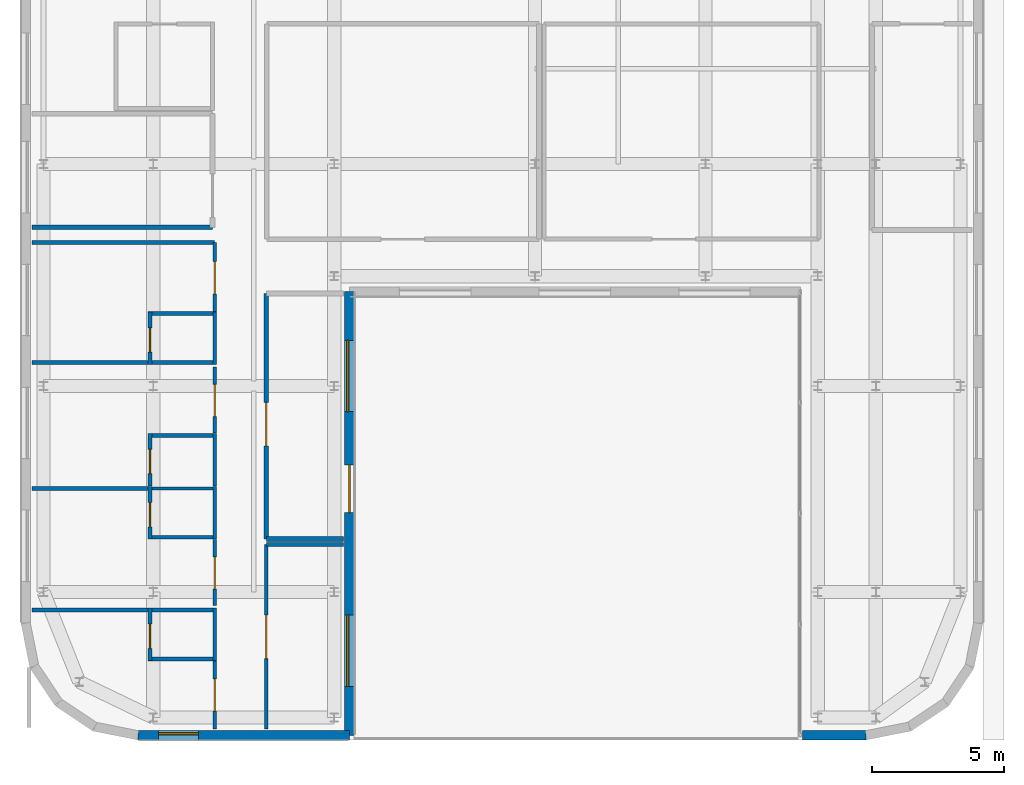
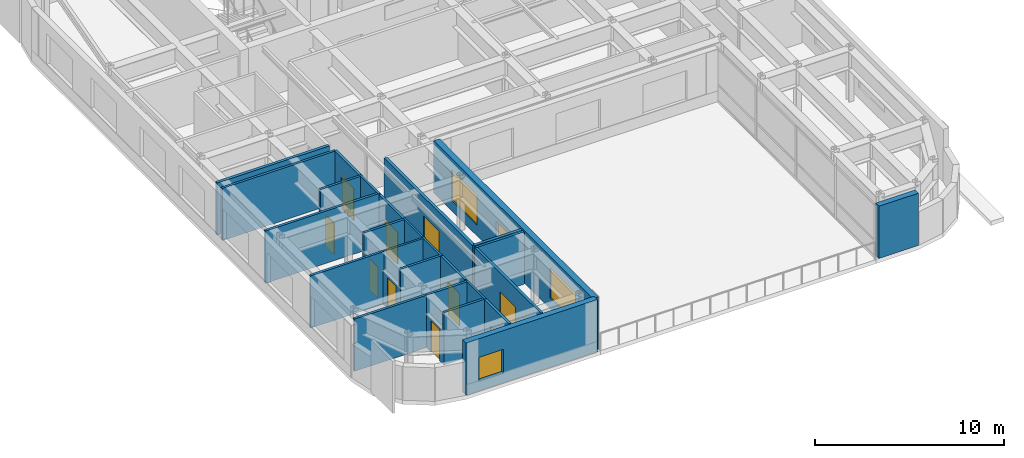
# One storey, part 8 of 16: 30 walls, 11 doors, 3 windows, 14 openings.
"""IFC4 building model written with IfcOpenShell, lengths in metres."""

from ifc_helpers import new_model, si_unit, direction, frame, frame_2d, origin, place, context, subcontext, project, spatial, rectangle, extrude, source, transform, mapped, material, layer, layer_set, type_object, type_shapes, element, fill, save


model = new_model("IFC4")

# Units and contexts
model_context = context("Model", 3, precision=1e-05, world=origin(), true_north=direction((0.0, 1.0)))
body_context = subcontext(model_context, "Body", "Model", "MODEL_VIEW")
ifc_project = project(units=[si_unit("LENGTHUNIT", "METRE"), si_unit("AREAUNIT", "SQUARE_METRE"), si_unit("VOLUMEUNIT", "CUBIC_METRE"), si_unit("PLANEANGLEUNIT", "RADIAN"), si_unit("MASSUNIT", "GRAM", prefix="KILO")], contexts=[model_context])

# Site, building, storey
site_placement = place(None, origin())
site = spatial("IfcSite", under=ifc_project, at=site_placement, CompositionType="ELEMENT")
building_placement = place(site_placement, origin())
building = spatial("IfcBuilding", under=site, at=building_placement, Name="Tolvann Quenvar Hotel", CompositionType="ELEMENT")
storey_placement = place(building_placement, frame((0.0, 0.0, 241.64990234375)))
storey = spatial("IfcBuildingStorey", under=building, at=storey_placement, Name="L64", CompositionType="ELEMENT", Elevation=241.64990234375)

# Wall, opening, window
ifc_material_1 = material(Name="Kiln-fired red and buff architectural clay brickwork and terracotta masonry", Category="masonry")
ifc_layer_1 = layer(ifc_material_1, 0.35009765625)
ifc_layer_set_1 = layer_set([ifc_layer_1], Name="Kiln-fired red and buff architectural clay brickwork and terracotta masonry")
wall_type_1 = type_object("IfcWallType", Name="WALL_EXT_BRICK_350", PredefinedType="SOLIDWALL", material=ifc_layer_set_1)
wall_1_placement = place(storey_placement, frame((7.01708984375, 2.77490234375, 0.0), z_axis=(0.0, 0.0, 1.0), x_axis=(1.0, 0.0, 0.0)))
wall_1 = element("IfcWall", 1, at=wall_1_placement, inside=storey, type_object=wall_type_1, Name="Exterior Chicago Brick Wall L64-E04", PredefinedType="SOLIDWALL", context=body_context, shape_type="SweptSolid", body=[
    extrude(rectangle(XDim=8.0078125, YDim=0.35009765625, at=frame_2d((4.00390625, 0.0))), origin(), (0.0, 0.0, 1.0), 3.3701171875),
])
opening_1_placement = place(wall_1_placement, frame((0.791015625, 0.0, 0.6201171875)))
opening_1 = element("IfcOpeningElement", 2, at=opening_1_placement, cuts=wall_1, Name="Opening W-08", PredefinedType="OPENING", context=body_context, shape_type="SweptSolid", body=[
    extrude(rectangle(XDim=1.5, YDim=1.550048828125, at=frame_2d((0.75, 0.77490234375))), frame((0.0, 0.18505859375, 0.0), z_axis=(0.0, -1.0, 0.0), x_axis=(1.0, 0.0, 0.0)), (0.0, 0.0, 1.0), 0.3701171875),
])
ifc_material_2 = material(Name="Thermally broken bronze-anodised aluminium frame with double low-E glazing", Category="aluminium")
window_type_1 = type_object("IfcWindowType", Name="WIN_COR_1500x2050", PartitioningType="SINGLE_PANEL", PredefinedType="WINDOW", material=ifc_material_2)
shared_shape_1 = source(origin(), body_context, "Body", "SweptSolid", [
    extrude(rectangle(XDim=1.5, YDim=1.550048828125, at=frame_2d((0.75, 0.77490234375))), frame((0.0, 0.090087890625, 0.0), z_axis=(0.0, -1.0, 0.0), x_axis=(1.0, 0.0, 0.0)), (0.0, 0.0, 1.0), 0.06005859375),
])
type_shapes(window_type_1, [shared_shape_1])
window_1_placement = place(opening_1_placement, origin())
window_1 = element("IfcWindow", 3, at=window_1_placement, inside=storey, type_object=window_type_1, Name="Chicago Window W-08 (EW-L64-E04-WD01)", OverallHeight=1.550048828125, OverallWidth=1.5, PartitioningType="SINGLE_PANEL", PredefinedType="WINDOW", context=body_context, shape_type="MappedRepresentation", body=[
    mapped(shared_shape_1, transform((0.0, 0.0, 0.0), x_axis=(1.0, 0.0, 0.0), y_axis=(0.0, 1.0, 0.0), z_axis=(0.0, 0.0, 1.0), scale=1.0)),
])
fill(opening_1, window_1)

# Wall, openings, door, windows
wall_2_placement = place(storey_placement, frame((15.02490234375, 2.77490234375, 0.0), z_axis=(0.0, 0.0, 1.0), x_axis=(0.0, 1.0, 0.0)))
wall_2 = element("IfcWall", 4, at=wall_2_placement, inside=storey, type_object=wall_type_1, Name="Exterior Chicago Brick Wall L64-E05", PredefinedType="SOLIDWALL", context=body_context, shape_type="SweptSolid", body=[
    extrude(rectangle(XDim=16.800048828125, YDim=0.35009765625, at=frame_2d((8.39990234375, 0.0))), origin(), (0.0, 0.0, 1.0), 3.3701171875),
])
opening_2_placement = place(wall_2_placement, frame((10.22509765625, 0.0, 0.0), z_axis=(0.0, 0.0, 1.0), x_axis=(-1.0, 0.0, 0.0)))
opening_2 = element("IfcOpeningElement", 5, at=opening_2_placement, cuts=wall_2, Name="Opening TD-01", PredefinedType="OPENING", context=body_context, shape_type="SweptSolid", body=[
    extrude(rectangle(XDim=1.800048828125, YDim=2.14990234375, at=frame_2d((0.89990234375, 1.074951171875))), frame((0.0, 0.18505859375, 0.0), z_axis=(0.0, -1.0, 0.0), x_axis=(1.0, 0.0, 0.0)), (0.0, 0.0, 1.0), 0.3701171875),
])
opening_3_placement = place(wall_2_placement, frame((1.85009765625, 0.0, 0.679931640625)))
opening_3 = element("IfcOpeningElement", 6, at=opening_3_placement, cuts=wall_2, Name="Opening W-04", PredefinedType="OPENING", context=body_context, shape_type="SweptSolid", body=[
    extrude(rectangle(XDim=2.699951171875, YDim=1.949951171875, at=frame_2d((1.35009765625, 0.97509765625))), frame((0.0, 0.18505859375, 0.0), z_axis=(0.0, -1.0, 0.0), x_axis=(1.0, 0.0, 0.0)), (0.0, 0.0, 1.0), 0.3701171875),
])
opening_4_placement = place(wall_2_placement, frame((12.25, 0.0, 0.679931640625)))
opening_4 = element("IfcOpeningElement", 7, at=opening_4_placement, cuts=wall_2, Name="Opening W-04", PredefinedType="OPENING", context=body_context, shape_type="SweptSolid", body=[
    extrude(rectangle(XDim=2.699951171875, YDim=1.949951171875, at=frame_2d((1.35009765625, 0.97509765625))), frame((0.0, 0.18505859375, 0.0), z_axis=(0.0, -1.0, 0.0), x_axis=(1.0, 0.0, 0.0)), (0.0, 0.0, 1.0), 0.3701171875),
])
ifc_material_3 = material(Name="Bronze-anodised thermally broken aluminium glazed entrance door", Category="aluminium")
door_type_1 = type_object("IfcDoorType", Name="DOOR_EXT_TER_1800", OperationType="NOTDEFINED", PredefinedType="DOOR", material=ifc_material_3)
shared_shape_2 = source(origin(), body_context, "Body", "SweptSolid", [
    extrude(rectangle(XDim=1.800048828125, YDim=2.14990234375, at=frame_2d((0.89990234375, 1.074951171875))), frame((0.0, 0.02490234375, 0.0), z_axis=(0.0, -1.0, 0.0), x_axis=(1.0, 0.0, 0.0)), (0.0, 0.0, 1.0), 0.050048828125),
])
type_shapes(door_type_1, [shared_shape_2])
door_1_placement = place(opening_2_placement, origin())
door_1 = element("IfcDoor", 8, at=door_1_placement, inside=storey, type_object=door_type_1, Name="Wind Portal Belvedere Deck Access Door", OperationType="DOUBLE_DOOR_SINGLE_SWING", OverallHeight=2.14990234375, OverallWidth=1.800048828125, PredefinedType="DOOR", context=body_context, shape_type="MappedRepresentation", body=[
    mapped(shared_shape_2, transform((0.0, 0.0, 0.0), x_axis=(1.0, 0.0, 0.0), y_axis=(0.0, 1.0, 0.0), z_axis=(0.0, 0.0, 1.0), scale=1.0)),
])
fill(opening_2, door_1)
window_type_2 = type_object("IfcWindowType", Name="WIN_STE_2700x2150", PartitioningType="TRIPLE_PANEL_HORIZONTAL", PredefinedType="WINDOW", material=ifc_material_2)
shared_shape_3 = source(origin(), body_context, "Body", "SweptSolid", [
    extrude(rectangle(XDim=2.699951171875, YDim=1.949951171875, at=frame_2d((1.35009765625, 0.97509765625))), frame((0.0, 0.090087890625, 0.0), z_axis=(0.0, -1.0, 0.0), x_axis=(1.0, 0.0, 0.0)), (0.0, 0.0, 1.0), 0.06005859375),
])
type_shapes(window_type_2, [shared_shape_3])
window_2_placement = place(opening_3_placement, origin())
window_2 = element("IfcWindow", 9, at=window_2_placement, inside=storey, type_object=window_type_2, Name="Chicago Window W-04 (EW-L64-E05-W01)", OverallHeight=1.949951171875, OverallWidth=2.699951171875, PartitioningType="TRIPLE_PANEL_HORIZONTAL", PredefinedType="WINDOW", context=body_context, shape_type="MappedRepresentation", body=[
    mapped(shared_shape_3, transform((0.0, 0.0, 0.0), x_axis=(1.0, 0.0, 0.0), y_axis=(0.0, 1.0, 0.0), z_axis=(0.0, 0.0, 1.0), scale=1.0)),
])
fill(opening_3, window_2)
window_3_placement = place(opening_4_placement, origin())
window_3 = element("IfcWindow", 10, at=window_3_placement, inside=storey, type_object=window_type_2, Name="Chicago Window W-04 (EW-L64-E05-W02)", OverallHeight=1.949951171875, OverallWidth=2.699951171875, PartitioningType="TRIPLE_PANEL_HORIZONTAL", PredefinedType="WINDOW", context=body_context, shape_type="MappedRepresentation", body=[
    mapped(shared_shape_3, transform((0.0, 0.0, 0.0), x_axis=(1.0, 0.0, 0.0), y_axis=(0.0, 1.0, 0.0), z_axis=(0.0, 0.0, 1.0), scale=1.0)),
])
fill(opening_4, window_3)

# Walls
wall_3_placement = place(storey_placement, frame((32.175048828125, 2.77490234375, 0.0), z_axis=(0.0, 0.0, 1.0), x_axis=(1.0, 0.0, 0.0)))
element("IfcWall", 11, at=wall_3_placement, inside=storey, type_object=wall_type_1, Name="Exterior Chicago Brick Wall L64-E08", PredefinedType="SOLIDWALL", context=body_context, shape_type="SweptSolid", body=[
    extrude(rectangle(XDim=2.40771484375, YDim=0.35009765625, at=frame_2d((1.203857421875, 0.0))), origin(), (0.0, 0.0, 1.0), 3.3701171875),
])
ifc_material_4 = material(Name="Acoustic twin-stud fire-rated gypsum plasterboard partition")
ifc_layer_2 = layer(ifc_material_4, 0.179931640625)
ifc_layer_set_2 = layer_set([ifc_layer_2], Name="Acoustic twin-stud fire-rated gypsum plasterboard partition")
wall_type_2 = type_object("IfcWallType", Name="WALL_PART_ACOUSTIC_180", PredefinedType="PARTITIONING", material=ifc_layer_set_2)
wall_4_placement = place(storey_placement, frame((11.8798828125, 10.199951171875, 0.0), z_axis=(0.0, 0.0, 1.0), x_axis=(1.0, 0.0, 0.0)))
element("IfcWall", 12, at=wall_4_placement, inside=storey, type_object=wall_type_2, Name="Interior Partition PT-SPC-L64-POVL-S", PredefinedType="PARTITIONING", context=body_context, shape_type="SweptSolid", body=[
    extrude(rectangle(XDim=2.9150390625, YDim=0.179931640625, at=frame_2d((1.45751953125, 0.0))), origin(), (0.0, 0.0, 1.0), 3.3701171875),
])

# Wall, opening, door
wall_5_placement = place(storey_placement, frame((11.8798828125, 10.199951171875, 0.0), z_axis=(0.0, 0.0, 1.0), x_axis=(0.0, 1.0, 0.0)))
wall_5 = element("IfcWall", 13, at=wall_5_placement, inside=storey, type_object=wall_type_2, Name="Interior Partition PT-SPC-L64-POVL-W", PredefinedType="PARTITIONING", context=body_context, shape_type="SweptSolid", body=[
    extrude(rectangle(XDim=9.300048828125, YDim=0.179931640625, at=frame_2d((4.64990234375, 0.0))), origin(), (0.0, 0.0, 1.0), 3.3701171875),
])
opening_5_placement = place(wall_5_placement, frame((3.52490234375, 0.0, 0.0)))
opening_5 = element("IfcOpeningElement", 14, at=opening_5_placement, cuts=wall_5, Name="Opening AD-01", PredefinedType="OPENING", context=body_context, shape_type="SweptSolid", body=[
    extrude(rectangle(XDim=1.64990234375, YDim=2.14990234375, at=frame_2d((0.824951171875, 1.074951171875))), frame((0.0, 0.10009765625, 0.0), z_axis=(0.0, -1.0, 0.0), x_axis=(1.0, 0.0, 0.0)), (0.0, 0.0, 1.0), 0.199951171875),
])
ifc_material_5 = material(Name="Solid-core American oak acoustic fire door leaf in steel frame", Category="steel")
door_type_2 = type_object("IfcDoorType", Name="DOOR_SALON_1650", OperationType="NOTDEFINED", PredefinedType="DOOR", material=ifc_material_5)
shared_shape_4 = source(origin(), body_context, "Body", "SweptSolid", [
    extrude(rectangle(XDim=1.64990234375, YDim=2.14990234375, at=frame_2d((0.824951171875, 1.074951171875))), frame((0.0, 0.02490234375, 0.0), z_axis=(0.0, -1.0, 0.0), x_axis=(1.0, 0.0, 0.0)), (0.0, 0.0, 1.0), 0.050048828125),
])
type_shapes(door_type_2, [shared_shape_4])
door_2_placement = place(opening_5_placement, origin())
door_2 = element("IfcDoor", 15, at=door_2_placement, inside=storey, type_object=door_type_2, Name="Interior Door DOOR-SPC-L64-POVL", OperationType="DOUBLE_DOOR_SINGLE_SWING", OverallHeight=2.14990234375, OverallWidth=1.64990234375, PredefinedType="DOOR", context=body_context, shape_type="MappedRepresentation", body=[
    mapped(shared_shape_4, transform((0.0, 0.0, 0.0), x_axis=(1.0, 0.0, 0.0), y_axis=(0.0, 1.0, 0.0), z_axis=(0.0, 0.0, 1.0), scale=1.0)),
])
fill(opening_5, door_2)

# Walls
wall_6_placement = place(storey_placement, frame((3.0048828125, 22.0, 0.0), z_axis=(0.0, 0.0, 1.0), x_axis=(1.0, 0.0, 0.0)))
element("IfcWall", 16, at=wall_6_placement, inside=storey, type_object=wall_type_2, Name="Interior Partition PT-SPC-L64-WCLNG-S", PredefinedType="PARTITIONING", context=body_context, shape_type="SweptSolid", body=[
    extrude(rectangle(XDim=6.84521484375, YDim=0.179931640625, at=frame_2d((3.422607421875, 0.0))), origin(), (0.0, 0.0, 1.0), 3.3701171875),
])
ifc_material_6 = material(Name="Moisture-resistant acoustic plumbing wall assembly")
ifc_layer_3 = layer(ifc_material_6, 0.1201171875)
ifc_layer_set_3 = layer_set([ifc_layer_3], Name="Moisture-resistant acoustic plumbing wall assembly")
wall_type_3 = type_object("IfcWallType", Name="WALL_PART_BATH_120", PredefinedType="PLUMBINGWALL", material=ifc_layer_set_3)
wall_7_placement = place(storey_placement, frame((9.929931640625, 5.60009765625, 0.0), z_axis=(0.0, 0.0, 1.0), x_axis=(0.0, 1.0, 0.0)))
element("IfcWall", 17, at=wall_7_placement, inside=storey, type_object=wall_type_3, Name="Non-Rated Plumbing Partition PT-SPC-L64-ENS-PW01-E", PredefinedType="PLUMBINGWALL", context=body_context, shape_type="SweptSolid", body=[
    extrude(rectangle(XDim=1.989990234375, YDim=0.1201171875, at=frame_2d((0.9951171875, 0.0))), origin(), (0.0, 0.0, 1.0), 3.3701171875),
])
wall_8_placement = place(storey_placement, frame((7.409912109375, 12.1201171875, 0.0), z_axis=(0.0, 0.0, 1.0), x_axis=(1.0, 0.0, 0.0)))
element("IfcWall", 18, at=wall_8_placement, inside=storey, type_object=wall_type_3, Name="Non-Rated Plumbing Partition PT-SPC-L64-ENS-PW02-N", PredefinedType="PLUMBINGWALL", context=body_context, shape_type="SweptSolid", body=[
    extrude(rectangle(XDim=2.590087890625, YDim=0.1201171875, at=frame_2d((1.294921875, 0.0))), origin(), (0.0, 0.0, 1.0), 3.3701171875),
])
for number, where, z_axis, x_axis, name in (
    (19, (9.929931640625, 10.199951171875, 0.0), (0.0, 0.0, 1.0), (0.0, 1.0, 0.0), "Non-Rated Plumbing Partition PT-SPC-L64-ENS-PW02-E"),
    (20, (9.929931640625, 12.2099609375, 0.0), (0.0, 0.0, 1.0), (0.0, 1.0, 0.0), "Non-Rated Plumbing Partition PT-SPC-L64-ENS-PW03-E"),
    (21, (9.929931640625, 16.81005859375, 0.0), (0.0, 0.0, 1.0), (0.0, 1.0, 0.0), "Non-Rated Plumbing Partition PT-SPC-L64-ENS-PW04-E"),
):
    element("IfcWall", number, at=place(storey_placement, frame(where, z_axis=z_axis, x_axis=x_axis)), inside=storey, type_object=wall_type_3, Name=name, PredefinedType="PLUMBINGWALL", context=body_context, shape_type="SweptSolid", body=[
        extrude(rectangle(XDim=1.989990234375, YDim=0.1201171875, at=frame_2d((0.9951171875, 0.0))), origin(), (0.0, 0.0, 1.0), 3.3701171875),
    ])

# Wall, opening, door
ifc_layer_4 = layer(ifc_material_4, 0.14990234375)
ifc_layer_set_4 = layer_set([ifc_layer_4], Name="Acoustic twin-stud fire-rated gypsum plasterboard partition")
wall_type_4 = type_object("IfcWallType", Name="WALL_PART_SUITE_150", PredefinedType="PARTITIONING", material=ifc_layer_set_4)
wall_9_placement = place(storey_placement, frame((7.47998046875, 5.60009765625, 0.0), z_axis=(0.0, 0.0, 1.0), x_axis=(0.0, 1.0, 0.0)))
wall_9 = element("IfcWall", 22, at=wall_9_placement, inside=storey, type_object=wall_type_4, Name="Interior Partition PT-SPC-L64-ENS-PW01-ENT", PredefinedType="PARTITIONING", context=body_context, shape_type="SweptSolid", body=[
    extrude(rectangle(XDim=1.989990234375, YDim=0.14990234375, at=frame_2d((0.9951171875, 0.0))), origin(), (0.0, 0.0, 1.0), 2.16015625),
])
opening_6_placement = place(wall_9_placement, frame((0.465087890625, 0.0, 0.0)))
opening_6 = element("IfcOpeningElement", 23, at=opening_6_placement, cuts=wall_9, Name="Opening WD-01", PredefinedType="OPENING", context=body_context, shape_type="SweptSolid", body=[
    extrude(rectangle(XDim=0.919921875, YDim=2.010009765625, at=frame_2d((0.4599609375, 1.0048828125))), frame((0.0, 0.0849609375, 0.0), z_axis=(0.0, -1.0, 0.0), x_axis=(1.0, 0.0, 0.0)), (0.0, 0.0, 1.0), 0.169921875),
])
door_type_3 = type_object("IfcDoorType", Name="DOOR_WC_920", OperationType="NOTDEFINED", PredefinedType="DOOR", material=ifc_material_5)
shared_shape_5 = source(origin(), body_context, "Body", "SweptSolid", [
    extrude(rectangle(XDim=0.919921875, YDim=2.010009765625, at=frame_2d((0.4599609375, 1.0048828125))), frame((0.0, 0.02490234375, 0.0), z_axis=(0.0, -1.0, 0.0), x_axis=(1.0, 0.0, 0.0)), (0.0, 0.0, 1.0), 0.050048828125),
])
type_shapes(door_type_3, [shared_shape_5])
door_3_placement = place(opening_6_placement, origin())
door_3 = element("IfcDoor", 24, at=door_3_placement, inside=storey, type_object=door_type_3, Name="Interior Door DOOR-SPC-L64-ENS-PW01", OperationType="SINGLE_SWING_LEFT", OverallHeight=2.010009765625, OverallWidth=0.919921875, PredefinedType="DOOR", context=body_context, shape_type="MappedRepresentation", body=[
    mapped(shared_shape_5, transform((0.0, 0.0, 0.0), x_axis=(1.0, 0.0, 0.0), y_axis=(0.0, 1.0, 0.0), z_axis=(0.0, 0.0, 1.0), scale=1.0)),
])
fill(opening_6, door_3)

# Walls
for number, where, z_axis, x_axis, name in (
    (25, (7.409912109375, 5.669921875, 0.0), (0.0, 0.0, 1.0), (1.0, 0.0, 0.0), "Interior Partition PT-SPC-L64-ENS-PW01-S"),
    (26, (7.409912109375, 7.52001953125, 0.0), (0.0, 0.0, 1.0), (1.0, 0.0, 0.0), "Interior Partition PT-SPC-L64-ENS-PW01-N"),
):
    element("IfcWall", number, at=place(storey_placement, frame(where, z_axis=z_axis, x_axis=x_axis)), inside=storey, type_object=wall_type_4, Name=name, PredefinedType="PARTITIONING", context=body_context, shape_type="SweptSolid", body=[
        extrude(rectangle(XDim=2.590087890625, YDim=0.14990234375, at=frame_2d((1.294921875, 0.0))), origin(), (0.0, 0.0, 1.0), 3.3701171875),
    ])

# Wall, opening, door
wall_10_placement = place(storey_placement, frame((7.47998046875, 10.199951171875, 0.0), z_axis=(0.0, 0.0, 1.0), x_axis=(0.0, 1.0, 0.0)))
wall_10 = element("IfcWall", 27, at=wall_10_placement, inside=storey, type_object=wall_type_4, Name="Interior Partition PT-SPC-L64-ENS-PW02-ENT", PredefinedType="PARTITIONING", context=body_context, shape_type="SweptSolid", body=[
    extrude(rectangle(XDim=1.989990234375, YDim=0.14990234375, at=frame_2d((0.9951171875, 0.0))), origin(), (0.0, 0.0, 1.0), 2.16015625),
])
opening_7_placement = place(wall_10_placement, frame((0.465087890625, 0.0, 0.0)))
opening_7 = element("IfcOpeningElement", 28, at=opening_7_placement, cuts=wall_10, Name="Opening WD-01", PredefinedType="OPENING", context=body_context, shape_type="SweptSolid", body=[
    extrude(rectangle(XDim=0.919921875, YDim=2.010009765625, at=frame_2d((0.4599609375, 1.0048828125))), frame((0.0, 0.0849609375, 0.0), z_axis=(0.0, -1.0, 0.0), x_axis=(1.0, 0.0, 0.0)), (0.0, 0.0, 1.0), 0.169921875),
])
door_4_placement = place(opening_7_placement, origin())
door_4 = element("IfcDoor", 29, at=door_4_placement, inside=storey, type_object=door_type_3, Name="Interior Door DOOR-SPC-L64-ENS-PW02", OperationType="SINGLE_SWING_RIGHT", OverallHeight=2.010009765625, OverallWidth=0.919921875, PredefinedType="DOOR", context=body_context, shape_type="MappedRepresentation", body=[
    mapped(shared_shape_5, transform((0.0, 0.0, 0.0), x_axis=(1.0, 0.0, 0.0), y_axis=(0.0, 1.0, 0.0), z_axis=(0.0, 0.0, 1.0), scale=1.0)),
])
fill(opening_7, door_4)

# Wall
wall_11_placement = place(storey_placement, frame((7.409912109375, 10.27001953125, 0.0), z_axis=(0.0, 0.0, 1.0), x_axis=(1.0, 0.0, 0.0)))
element("IfcWall", 30, at=wall_11_placement, inside=storey, type_object=wall_type_4, Name="Interior Partition PT-SPC-L64-ENS-PW02-S", PredefinedType="PARTITIONING", context=body_context, shape_type="SweptSolid", body=[
    extrude(rectangle(XDim=2.590087890625, YDim=0.14990234375, at=frame_2d((1.294921875, 0.0))), origin(), (0.0, 0.0, 1.0), 3.3701171875),
])

# Wall, opening, door
wall_12_placement = place(storey_placement, frame((7.47998046875, 12.2099609375, 0.0), z_axis=(0.0, 0.0, 1.0), x_axis=(0.0, 1.0, 0.0)))
wall_12 = element("IfcWall", 31, at=wall_12_placement, inside=storey, type_object=wall_type_4, Name="Interior Partition PT-SPC-L64-ENS-PW03-ENT", PredefinedType="PARTITIONING", context=body_context, shape_type="SweptSolid", body=[
    extrude(rectangle(XDim=1.989990234375, YDim=0.14990234375, at=frame_2d((0.9951171875, 0.0))), origin(), (0.0, 0.0, 1.0), 2.16015625),
])
opening_8_placement = place(wall_12_placement, frame((0.465087890625, 0.0, 0.0)))
opening_8 = element("IfcOpeningElement", 32, at=opening_8_placement, cuts=wall_12, Name="Opening WD-01", PredefinedType="OPENING", context=body_context, shape_type="SweptSolid", body=[
    extrude(rectangle(XDim=0.919921875, YDim=2.010009765625, at=frame_2d((0.4599609375, 1.0048828125))), frame((0.0, 0.0849609375, 0.0), z_axis=(0.0, -1.0, 0.0), x_axis=(1.0, 0.0, 0.0)), (0.0, 0.0, 1.0), 0.169921875),
])
door_5_placement = place(opening_8_placement, origin())
door_5 = element("IfcDoor", 33, at=door_5_placement, inside=storey, type_object=door_type_3, Name="Interior Door DOOR-SPC-L64-ENS-PW03", OperationType="SINGLE_SWING_LEFT", OverallHeight=2.010009765625, OverallWidth=0.919921875, PredefinedType="DOOR", context=body_context, shape_type="MappedRepresentation", body=[
    mapped(shared_shape_5, transform((0.0, 0.0, 0.0), x_axis=(1.0, 0.0, 0.0), y_axis=(0.0, 1.0, 0.0), z_axis=(0.0, 0.0, 1.0), scale=1.0)),
])
fill(opening_8, door_5)

# Wall
wall_13_placement = place(storey_placement, frame((7.409912109375, 14.1298828125, 0.0), z_axis=(0.0, 0.0, 1.0), x_axis=(1.0, 0.0, 0.0)))
element("IfcWall", 34, at=wall_13_placement, inside=storey, type_object=wall_type_4, Name="Interior Partition PT-SPC-L64-ENS-PW03-N", PredefinedType="PARTITIONING", context=body_context, shape_type="SweptSolid", body=[
    extrude(rectangle(XDim=2.590087890625, YDim=0.14990234375, at=frame_2d((1.294921875, 0.0))), origin(), (0.0, 0.0, 1.0), 3.3701171875),
])

# Wall, opening, door
wall_14_placement = place(storey_placement, frame((7.47998046875, 16.81005859375, 0.0), z_axis=(0.0, 0.0, 1.0), x_axis=(0.0, 1.0, 0.0)))
wall_14 = element("IfcWall", 35, at=wall_14_placement, inside=storey, type_object=wall_type_4, Name="Interior Partition PT-SPC-L64-ENS-PW04-ENT", PredefinedType="PARTITIONING", context=body_context, shape_type="SweptSolid", body=[
    extrude(rectangle(XDim=1.989990234375, YDim=0.14990234375, at=frame_2d((0.9951171875, 0.0))), origin(), (0.0, 0.0, 1.0), 2.16015625),
])
opening_9_placement = place(wall_14_placement, frame((0.465087890625, 0.0, 0.0)))
opening_9 = element("IfcOpeningElement", 36, at=opening_9_placement, cuts=wall_14, Name="Opening WD-01", PredefinedType="OPENING", context=body_context, shape_type="SweptSolid", body=[
    extrude(rectangle(XDim=0.919921875, YDim=2.010009765625, at=frame_2d((0.4599609375, 1.0048828125))), frame((0.0, 0.0849609375, 0.0), z_axis=(0.0, -1.0, 0.0), x_axis=(1.0, 0.0, 0.0)), (0.0, 0.0, 1.0), 0.169921875),
])
door_6_placement = place(opening_9_placement, origin())
door_6 = element("IfcDoor", 37, at=door_6_placement, inside=storey, type_object=door_type_3, Name="Interior Door DOOR-SPC-L64-ENS-PW04", OperationType="SINGLE_SWING_RIGHT", OverallHeight=2.010009765625, OverallWidth=0.919921875, PredefinedType="DOOR", context=body_context, shape_type="MappedRepresentation", body=[
    mapped(shared_shape_5, transform((0.0, 0.0, 0.0), x_axis=(1.0, 0.0, 0.0), y_axis=(0.0, 1.0, 0.0), z_axis=(0.0, 0.0, 1.0), scale=1.0)),
])
fill(opening_9, door_6)

# Walls
wall_15_placement = place(storey_placement, frame((3.0048828125, 16.8798828125, 0.0), z_axis=(0.0, 0.0, 1.0), x_axis=(1.0, 0.0, 0.0)))
element("IfcWall", 38, at=wall_15_placement, inside=storey, type_object=wall_type_4, Name="Interior Partition PT-SPC-L64-ENS-PW04-S", PredefinedType="PARTITIONING", context=body_context, shape_type="SweptSolid", body=[
    extrude(rectangle(XDim=6.9951171875, YDim=0.14990234375, at=frame_2d((3.49755859375, 0.0))), origin(), (0.0, 0.0, 1.0), 3.3701171875),
])
wall_16_placement = place(storey_placement, frame((7.409912109375, 18.72998046875, 0.0), z_axis=(0.0, 0.0, 1.0), x_axis=(1.0, 0.0, 0.0)))
element("IfcWall", 39, at=wall_16_placement, inside=storey, type_object=wall_type_4, Name="Interior Partition PT-SPC-L64-ENS-PW04-N", PredefinedType="PARTITIONING", context=body_context, shape_type="SweptSolid", body=[
    extrude(rectangle(XDim=2.590087890625, YDim=0.14990234375, at=frame_2d((1.294921875, 0.0))), origin(), (0.0, 0.0, 1.0), 3.3701171875),
])

# Wall, opening, door
wall_17_placement = place(storey_placement, frame((9.929931640625, 3.0048828125, 0.0), z_axis=(0.0, 0.0, 1.0), x_axis=(0.0, 1.0, 0.0)))
wall_17 = element("IfcWall", 40, at=wall_17_placement, inside=storey, type_object=wall_type_4, Name="Interior Partition PT-SPC-L64-RM-PW01-ENT", PredefinedType="PARTITIONING", context=body_context, shape_type="SweptSolid", body=[
    extrude(rectangle(XDim=2.585205078125, YDim=0.14990234375, at=frame_2d((1.29248046875, 0.0))), origin(), (0.0, 0.0, 1.0), 3.3701171875),
])
opening_10_placement = place(wall_17_placement, frame((0.68994140625, 0.0, 0.0)))
opening_10 = element("IfcOpeningElement", 41, at=opening_10_placement, cuts=wall_17, Name="Opening SD-02", PredefinedType="OPENING", context=body_context, shape_type="SweptSolid", body=[
    extrude(rectangle(XDim=1.219970703125, YDim=2.080078125, at=frame_2d((0.60986328125, 1.0400390625))), frame((0.0, 0.0849609375, 0.0), z_axis=(0.0, -1.0, 0.0), x_axis=(1.0, 0.0, 0.0)), (0.0, 0.0, 1.0), 0.169921875),
])
door_type_4 = type_object("IfcDoorType", Name="DOOR_VIP_1220", OperationType="NOTDEFINED", PredefinedType="DOOR", material=ifc_material_5)
shared_shape_6 = source(origin(), body_context, "Body", "SweptSolid", [
    extrude(rectangle(XDim=1.219970703125, YDim=2.080078125, at=frame_2d((0.60986328125, 1.0400390625))), frame((0.0, 0.02490234375, 0.0), z_axis=(0.0, -1.0, 0.0), x_axis=(1.0, 0.0, 0.0)), (0.0, 0.0, 1.0), 0.050048828125),
])
type_shapes(door_type_4, [shared_shape_6])
door_7_placement = place(opening_10_placement, origin())
door_7 = element("IfcDoor", 42, at=door_7_placement, inside=storey, type_object=door_type_4, Name="Interior Door DOOR-SPC-L64-RM-PW01", OperationType="SINGLE_SWING_RIGHT", OverallHeight=2.080078125, OverallWidth=1.219970703125, PredefinedType="DOOR", context=body_context, shape_type="MappedRepresentation", body=[
    mapped(shared_shape_6, transform((0.0, 0.0, 0.0), x_axis=(1.0, 0.0, 0.0), y_axis=(0.0, 1.0, 0.0), z_axis=(0.0, 0.0, 1.0), scale=1.0)),
])
fill(opening_10, door_7)

# Wall
wall_18_placement = place(storey_placement, frame((3.0048828125, 7.52001953125, 0.0), z_axis=(0.0, 0.0, 1.0), x_axis=(1.0, 0.0, 0.0)))
element("IfcWall", 43, at=wall_18_placement, inside=storey, type_object=wall_type_4, Name="Interior Partition PT-SPC-L64-RM-PW01-E5", PredefinedType="PARTITIONING", context=body_context, shape_type="SweptSolid", body=[
    extrude(rectangle(XDim=4.455078125, YDim=0.14990234375, at=frame_2d((2.2275390625, 0.0))), origin(), (0.0, 0.0, 1.0), 3.3701171875),
])

# Wall, opening, door
wall_19_placement = place(storey_placement, frame((9.929931640625, 7.679931640625, 0.0), z_axis=(0.0, 0.0, 1.0), x_axis=(0.0, 1.0, 0.0)))
wall_19 = element("IfcWall", 44, at=wall_19_placement, inside=storey, type_object=wall_type_4, Name="Interior Partition PT-SPC-L64-RM-PW02-ENT", PredefinedType="PARTITIONING", context=body_context, shape_type="SweptSolid", body=[
    extrude(rectangle(XDim=2.510009765625, YDim=0.14990234375, at=frame_2d((1.2548828125, 0.0))), origin(), (0.0, 0.0, 1.0), 3.3701171875),
])
opening_11_placement = place(wall_19_placement, frame((0.625, 0.0, 0.0)))
opening_11 = element("IfcOpeningElement", 45, at=opening_11_placement, cuts=wall_19, Name="Opening SD-02", PredefinedType="OPENING", context=body_context, shape_type="SweptSolid", body=[
    extrude(rectangle(XDim=1.219970703125, YDim=2.080078125, at=frame_2d((0.60986328125, 1.0400390625))), frame((0.0, 0.0849609375, 0.0), z_axis=(0.0, -1.0, 0.0), x_axis=(1.0, 0.0, 0.0)), (0.0, 0.0, 1.0), 0.169921875),
])
door_8_placement = place(opening_11_placement, origin())
door_8 = element("IfcDoor", 46, at=door_8_placement, inside=storey, type_object=door_type_4, Name="Interior Door DOOR-SPC-L64-RM-PW02", OperationType="SINGLE_SWING_LEFT", OverallHeight=2.080078125, OverallWidth=1.219970703125, PredefinedType="DOOR", context=body_context, shape_type="MappedRepresentation", body=[
    mapped(shared_shape_6, transform((0.0, 0.0, 0.0), x_axis=(1.0, 0.0, 0.0), y_axis=(0.0, 1.0, 0.0), z_axis=(0.0, 0.0, 1.0), scale=1.0)),
])
fill(opening_11, door_8)

# Wall
wall_20_placement = place(storey_placement, frame((3.0048828125, 12.1201171875, 0.0), z_axis=(0.0, 0.0, 1.0), x_axis=(1.0, 0.0, 0.0)))
element("IfcWall", 47, at=wall_20_placement, inside=storey, type_object=wall_type_4, Name="Interior Partition PT-SPC-L64-RM-PW02-E5", PredefinedType="PARTITIONING", context=body_context, shape_type="SweptSolid", body=[
    extrude(rectangle(XDim=4.455078125, YDim=0.14990234375, at=frame_2d((2.2275390625, 0.0))), origin(), (0.0, 0.0, 1.0), 3.3701171875),
])

# Wall, opening, door
wall_21_placement = place(storey_placement, frame((9.929931640625, 14.2099609375, 0.0), z_axis=(0.0, 0.0, 1.0), x_axis=(0.0, 1.0, 0.0)))
wall_21 = element("IfcWall", 48, at=wall_21_placement, inside=storey, type_object=wall_type_4, Name="Interior Partition PT-SPC-L64-RM-PW03-ENT", PredefinedType="PARTITIONING", context=body_context, shape_type="SweptSolid", body=[
    extrude(rectangle(XDim=2.510009765625, YDim=0.14990234375, at=frame_2d((1.2548828125, 0.0))), origin(), (0.0, 0.0, 1.0), 3.3701171875),
])
opening_12_placement = place(wall_21_placement, frame((0.625, 0.0, 0.0)))
opening_12 = element("IfcOpeningElement", 49, at=opening_12_placement, cuts=wall_21, Name="Opening SD-02", PredefinedType="OPENING", context=body_context, shape_type="SweptSolid", body=[
    extrude(rectangle(XDim=1.219970703125, YDim=2.080078125, at=frame_2d((0.60986328125, 1.0400390625))), frame((0.0, 0.0849609375, 0.0), z_axis=(0.0, -1.0, 0.0), x_axis=(1.0, 0.0, 0.0)), (0.0, 0.0, 1.0), 0.169921875),
])
door_9_placement = place(opening_12_placement, origin())
door_9 = element("IfcDoor", 50, at=door_9_placement, inside=storey, type_object=door_type_4, Name="Interior Door DOOR-SPC-L64-RM-PW03", OperationType="SINGLE_SWING_RIGHT", OverallHeight=2.080078125, OverallWidth=1.219970703125, PredefinedType="DOOR", context=body_context, shape_type="MappedRepresentation", body=[
    mapped(shared_shape_6, transform((0.0, 0.0, 0.0), x_axis=(1.0, 0.0, 0.0), y_axis=(0.0, 1.0, 0.0), z_axis=(0.0, 0.0, 1.0), scale=1.0)),
])
fill(opening_12, door_9)

wall_22_placement = place(storey_placement, frame((9.929931640625, 18.81005859375, 0.0), z_axis=(0.0, 0.0, 1.0), x_axis=(0.0, 1.0, 0.0)))
wall_22 = element("IfcWall", 51, at=wall_22_placement, inside=storey, type_object=wall_type_4, Name="Interior Partition PT-SPC-L64-RM-PW04-ENT", PredefinedType="PARTITIONING", context=body_context, shape_type="SweptSolid", body=[
    extrude(rectangle(XDim=2.60986328125, YDim=0.14990234375, at=frame_2d((1.304931640625, 0.0))), origin(), (0.0, 0.0, 1.0), 3.3701171875),
])
opening_13_placement = place(wall_22_placement, frame((0.675048828125, 0.0, 0.0)))
opening_13 = element("IfcOpeningElement", 52, at=opening_13_placement, cuts=wall_22, Name="Opening SD-02", PredefinedType="OPENING", context=body_context, shape_type="SweptSolid", body=[
    extrude(rectangle(XDim=1.219970703125, YDim=2.080078125, at=frame_2d((0.60986328125, 1.0400390625))), frame((0.0, 0.0849609375, 0.0), z_axis=(0.0, -1.0, 0.0), x_axis=(1.0, 0.0, 0.0)), (0.0, 0.0, 1.0), 0.169921875),
])
door_10_placement = place(opening_13_placement, origin())
door_10 = element("IfcDoor", 53, at=door_10_placement, inside=storey, type_object=door_type_4, Name="Interior Door DOOR-SPC-L64-RM-PW04", OperationType="SINGLE_SWING_LEFT", OverallHeight=2.080078125, OverallWidth=1.219970703125, PredefinedType="DOOR", context=body_context, shape_type="MappedRepresentation", body=[
    mapped(shared_shape_6, transform((0.0, 0.0, 0.0), x_axis=(1.0, 0.0, 0.0), y_axis=(0.0, 1.0, 0.0), z_axis=(0.0, 0.0, 1.0), scale=1.0)),
])
fill(opening_13, door_10)

# Walls
wall_23_placement = place(storey_placement, frame((3.0048828125, 21.419921875, 0.0), z_axis=(0.0, 0.0, 1.0), x_axis=(1.0, 0.0, 0.0)))
element("IfcWall", 54, at=wall_23_placement, inside=storey, type_object=wall_type_4, Name="Interior Partition PT-SPC-L64-RM-PW04-E5", PredefinedType="PARTITIONING", context=body_context, shape_type="SweptSolid", body=[
    extrude(rectangle(XDim=6.925048828125, YDim=0.14990234375, at=frame_2d((3.46240234375, 0.0))), origin(), (0.0, 0.0, 1.0), 3.3701171875),
])
wall_24_placement = place(storey_placement, frame((11.8798828125, 10.0, 0.0), z_axis=(0.0, 0.0, 1.0), x_axis=(1.0, 0.0, 0.0)))
element("IfcWall", 55, at=wall_24_placement, inside=storey, type_object=wall_type_4, Name="Interior Partition PT-SPC-L64-PSOUTH-N", PredefinedType="PARTITIONING", context=body_context, shape_type="SweptSolid", body=[
    extrude(rectangle(XDim=2.9150390625, YDim=0.14990234375, at=frame_2d((1.45751953125, 0.0))), origin(), (0.0, 0.0, 1.0), 3.3701171875),
])

# Wall, opening, door
wall_25_placement = place(storey_placement, frame((11.8798828125, 3.0048828125, 0.0), z_axis=(0.0, 0.0, 1.0), x_axis=(0.0, 1.0, 0.0)))
wall_25 = element("IfcWall", 56, at=wall_25_placement, inside=storey, type_object=wall_type_4, Name="Interior Partition PT-SPC-L64-PSOUTH-W", PredefinedType="PARTITIONING", context=body_context, shape_type="SweptSolid", body=[
    extrude(rectangle(XDim=6.9951171875, YDim=0.14990234375, at=frame_2d((3.49755859375, 0.0))), origin(), (0.0, 0.0, 1.0), 3.3701171875),
])
opening_14_placement = place(wall_25_placement, frame((2.672607421875, 0.0, 0.0)))
opening_14 = element("IfcOpeningElement", 57, at=opening_14_placement, cuts=wall_25, Name="Opening AD-01", PredefinedType="OPENING", context=body_context, shape_type="SweptSolid", body=[
    extrude(rectangle(XDim=1.64990234375, YDim=2.14990234375, at=frame_2d((0.824951171875, 1.074951171875))), frame((0.0, 0.0849609375, 0.0), z_axis=(0.0, -1.0, 0.0), x_axis=(1.0, 0.0, 0.0)), (0.0, 0.0, 1.0), 0.169921875),
])
door_11_placement = place(opening_14_placement, origin())
door_11 = element("IfcDoor", 58, at=door_11_placement, inside=storey, type_object=door_type_2, Name="Interior Door DOOR-SPC-L64-PSOUTH", OperationType="DOUBLE_DOOR_SINGLE_SWING", OverallHeight=2.14990234375, OverallWidth=1.64990234375, PredefinedType="DOOR", context=body_context, shape_type="MappedRepresentation", body=[
    mapped(shared_shape_4, transform((0.0, 0.0, 0.0), x_axis=(1.0, 0.0, 0.0), y_axis=(0.0, 1.0, 0.0), z_axis=(0.0, 0.0, 1.0), scale=1.0)),
])
fill(opening_14, door_11)

save(model, "model.ifc")
